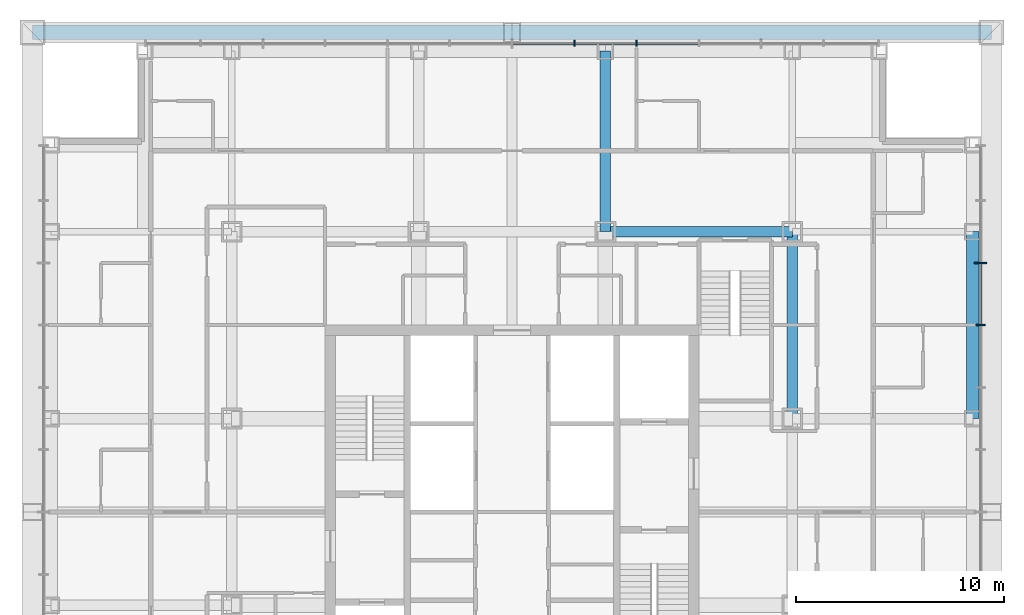
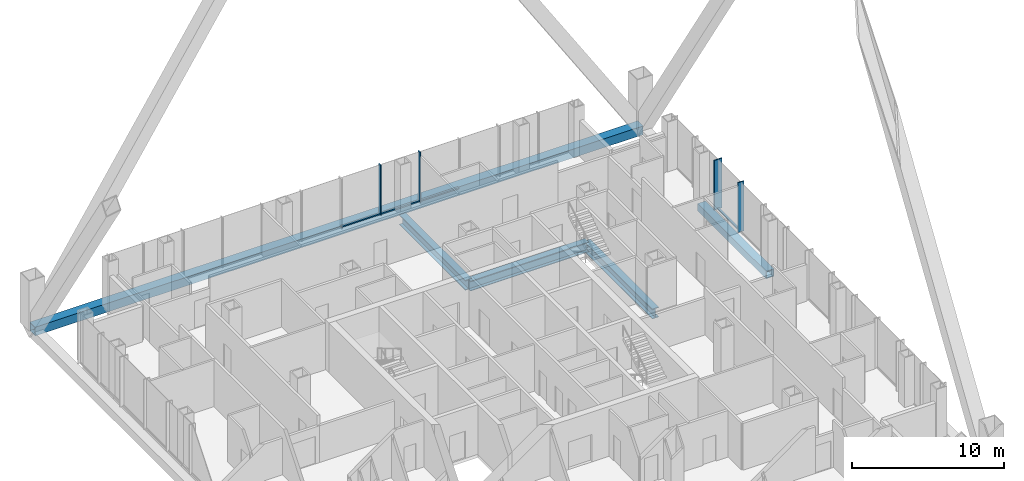
# One storey, part 8 of 16: 9 members, 4 beams, 2 elements without a shape of their own.
"""IFC4 building model written with IfcOpenShell, lengths in metres."""

import ifcopenshell
import ifcopenshell.guid

model = None  # the IFC model being written
_history = None  # IfcOwnerHistory: only IFC2X3 demands one
_inside = {}  # id of a spatial element -> (the spatial element, [elements in it])
_under = {}  # id of a project, library or spatial element -> (it, [spatial elements below it])
_declared = {}  # id of a project -> (the project, [libraries it declares])
_typed = {}  # id of a type object -> (the type object, [elements of that type])
_made_of = {}  # id of a material, layer set ... -> (it, [elements and type objects made of it])


def new_model(schema):
    """Start an empty IFC model of exactly this schema.

    Asked for "IFC4X3", IfcOpenShell would pick the latest addendum, in which some entities
    have other attributes; the version numbers below select the first issue.
    IFC2X3 requires an IfcOwnerHistory on every rooted entity: one is made here for all.
    """
    global model, _history
    if schema == "IFC4X3":
        model = ifcopenshell.file(schema_version=(4, 3, 0, 0))
    else:
        model = ifcopenshell.file(schema=schema)
    _inside.clear()
    _under.clear()
    _declared.clear()
    _typed.clear()
    _made_of.clear()
    _history = None
    if model.schema == "IFC2X3":
        org = make("IfcOrganization", Name="unknown")
        user = make(
            "IfcPersonAndOrganization",
            ThePerson=make("IfcPerson", FamilyName="unknown"),
            TheOrganization=org,
        )
        app = make(
            "IfcApplication",
            ApplicationDeveloper=org,
            Version="unknown",
            ApplicationFullName="unknown",
            ApplicationIdentifier="unknown",
        )
        _history = make(
            "IfcOwnerHistory",
            OwningUser=user,
            OwningApplication=app,
            ChangeAction="ADDED",
            CreationDate=0,
        )
    return model


def make(cls, **values):
    """One entity of the class cls with the attributes given. An attribute that is None is left unset."""
    return model.create_entity(
        cls, **{name: value for name, value in values.items() if value is not None}
    )


def rooted(cls, **values):
    """An entity with a GlobalId (a new one), such as an element, a storey or a relation."""
    return make(cls, GlobalId=ifcopenshell.guid.new(), OwnerHistory=_history, **values)


def si_unit(unit_type, name, prefix=None):
    """IfcSIUnit, for example si_unit("LENGTHUNIT", "METRE", prefix="MILLI")."""
    return make("IfcSIUnit", UnitType=unit_type, Prefix=prefix, Name=name)


def assignment(units):
    """IfcUnitAssignment: the units of a project."""
    return None if units is None else make("IfcUnitAssignment", Units=units)


def point(xyz):
    """IfcCartesianPoint."""
    return None if xyz is None else make("IfcCartesianPoint", Coordinates=xyz)


def direction(xyz):
    """IfcDirection."""
    return None if xyz is None else make("IfcDirection", DirectionRatios=xyz)


def frame(location, z_axis=None, x_axis=None):
    """IfcAxis2Placement3D, a coordinate frame: its origin and axes. An axis left out is left unset."""
    return make(
        "IfcAxis2Placement3D",
        Location=point(location),
        Axis=direction(z_axis),
        RefDirection=direction(x_axis),
    )


def frame_2d(location, x_axis=None):
    """IfcAxis2Placement2D, a coordinate frame in the plane: its origin and x axis."""
    return make(
        "IfcAxis2Placement2D", Location=point(location), RefDirection=direction(x_axis)
    )


def origin():
    """The frame at (0, 0, 0) with its axes left unset."""
    return frame((0.0, 0.0, 0.0))


def origin_2d():
    """The frame at (0, 0) in the plane with its x axis left unset."""
    return frame_2d((0.0, 0.0))


def place(relative_to, where):
    """IfcLocalPlacement: puts the frame where relative to a parent placement (None: the world)."""
    return make(
        "IfcLocalPlacement", PlacementRelTo=relative_to, RelativePlacement=where
    )


def context(
    kind, dimensions, precision=None, world=None, true_north=None, identifier=None
):
    """IfcGeometricRepresentationContext, for example the 3D "Model" context."""
    return make(
        "IfcGeometricRepresentationContext",
        ContextIdentifier=identifier,
        ContextType=kind,
        CoordinateSpaceDimension=dimensions,
        Precision=precision,
        WorldCoordinateSystem=world,
        TrueNorth=true_north,
    )


def subcontext(parent, identifier, kind, view, scale=None):
    """IfcGeometricRepresentationSubContext, for example "Body" below "Model"."""
    return make(
        "IfcGeometricRepresentationSubContext",
        ContextIdentifier=identifier,
        ContextType=kind,
        ParentContext=parent,
        TargetScale=scale,
        TargetView=view,
    )


def project(units=None, contexts=None):
    """IfcProject with its units and contexts."""
    return rooted(
        "IfcProject",
        Name="project",
        RepresentationContexts=contexts,
        UnitsInContext=assignment(units),
    )


def spatial(cls, under=None, at=None, **own):
    """A site, building, storey or space (cls), placed at a placement, below another one or the project."""
    s = rooted(cls, ObjectPlacement=at, **own)
    if under is not None:
        _under.setdefault(under.id(), (under, []))[1].append(s)
    return s


def profile(cls, at=None, kind="AREA", **sizes):
    """A parametric profile (cls). Its sizes go by their IFC names, for example OverallWidth=200.0."""
    return make(cls, ProfileType=kind, Position=at, **sizes)


def rectangle(**sizes):
    """IfcRectangleProfileDef."""
    return profile("IfcRectangleProfileDef", **sizes)


def hollow_rectangle(**sizes):
    """IfcRectangleHollowProfileDef."""
    return profile("IfcRectangleHollowProfileDef", **sizes)


def i_section(**sizes):
    """IfcIShapeProfileDef."""
    return profile("IfcIShapeProfileDef", **sizes)


def extrude(swept, where, along, depth):
    """IfcExtrudedAreaSolid: the profile swept, set in the frame where, extruded along a direction by depth."""
    return make(
        "IfcExtrudedAreaSolid",
        SweptArea=swept,
        Position=where,
        ExtrudedDirection=direction(along),
        Depth=depth,
    )


def shape(context_of_items, identifier, shape_type, items):
    """IfcShapeRepresentation: the items that make up one representation, for example the "Body"."""
    return make(
        "IfcShapeRepresentation",
        ContextOfItems=context_of_items,
        RepresentationIdentifier=identifier,
        RepresentationType=shape_type,
        Items=items,
    )


def material(Name=None, Category=None):
    """IfcMaterial."""
    return make("IfcMaterial", Name=Name, Category=Category)


def layer(
    of_material, thickness, ventilated=None, Name=None, Category=None, Priority=None
):
    """IfcMaterialLayer: one layer of a wall or slab, of a material (None: an air gap)."""
    return make(
        "IfcMaterialLayer",
        Material=of_material,
        LayerThickness=thickness,
        IsVentilated=ventilated,
        Name=Name,
        Category=Category,
        Priority=Priority,
    )


def layer_set(layers, Name=None):
    """IfcMaterialLayerSet."""
    return make("IfcMaterialLayerSet", MaterialLayers=layers, LayerSetName=Name)


def material_profile(
    of_material, cross_section, Name=None, Category=None, Priority=None
):
    """IfcMaterialProfile: a cross section and its material."""
    return make(
        "IfcMaterialProfile",
        Name=Name,
        Material=of_material,
        Profile=cross_section,
        Priority=Priority,
        Category=Category,
    )


def profile_set(profiles, Name=None, composite=None):
    """IfcMaterialProfileSet."""
    return make(
        "IfcMaterialProfileSet",
        Name=Name,
        MaterialProfiles=profiles,
        CompositeProfile=composite,
    )


def made_of(thing, what):
    """Note that an element or type object is made of a material, layer set ...; save() writes the relation."""
    if what is not None:
        _made_of.setdefault(what.id(), (what, []))[1].append(thing)
    return thing


def type_object(cls, material=None, **own):
    """A type object (cls), such as IfcWallType, which elements share."""
    return made_of(rooted(cls, **own), material)


def element(
    cls,
    number,
    at=None,
    inside=None,
    cuts=None,
    type_object=None,
    material=None,
    context=None,
    identifier="Body",
    shape_type=None,
    held_by="IfcProductDefinitionShape",
    body=None,
    shapes=None,
    **own,
):
    """One element of the class cls, such as IfcWall. Its Tag is "e" and its number.

    at: its placement. inside: the storey or other place that contains it. cuts: it is an
    opening in that element (IfcRelVoidsElement). A single representation is given by context,
    identifier, shape_type and body (its items); several are given by shapes. held_by: the class
    of the entity that holds the representations. save() writes the other relations.
    """
    e = rooted(cls, Tag="e%d" % number, ObjectPlacement=at, **own)
    if body is not None:
        shapes = [shape(context, identifier, shape_type, body)]
    if shapes is not None:
        e.Representation = make(held_by, Representations=shapes)
    if inside is not None:
        _inside.setdefault(inside.id(), (inside, []))[1].append(e)
    if cuts is not None:
        rooted(
            "IfcRelVoidsElement", RelatingBuildingElement=cuts, RelatedOpeningElement=e
        )
    if type_object is not None:
        _typed.setdefault(type_object.id(), (type_object, []))[1].append(e)
    return made_of(e, material)


def aggregate(whole, parts):
    """IfcRelAggregates: a whole, such as a stair, and the parts it consists of."""
    return rooted("IfcRelAggregates", RelatingObject=whole, RelatedObjects=parts)


def save(model, path):
    """Write the relations noted so far, then the file.

    IfcRelAggregates (storeys below a building ...), IfcRelContainedInSpatialStructure (elements
    in a storey), IfcRelDefinesByType, IfcRelAssociatesMaterial and IfcRelDeclares: one each for
    every whole, place, type object, material and project.
    """
    for whole, parts in _under.values():
        aggregate(whole, parts)
    for where, things in _inside.values():
        rooted(
            "IfcRelContainedInSpatialStructure",
            RelatedElements=things,
            RelatingStructure=where,
        )
    for kind, things in _typed.values():
        rooted("IfcRelDefinesByType", RelatedObjects=things, RelatingType=kind)
    for what, things in _made_of.values():
        rooted("IfcRelAssociatesMaterial", RelatedObjects=things, RelatingMaterial=what)
    for by, libraries in _declared.values():
        rooted("IfcRelDeclares", RelatingContext=by, RelatedDefinitions=libraries)
    model.write(path)


model = new_model("IFC4")

# Units and contexts
model_context = context("Model", 3, precision=1e-05, world=origin(), true_north=direction((0.0, 1.0)))
body_context = subcontext(model_context, "Body", "Model", "MODEL_VIEW")
ifc_project = project(units=[si_unit("LENGTHUNIT", "METRE"), si_unit("AREAUNIT", "SQUARE_METRE"), si_unit("VOLUMEUNIT", "CUBIC_METRE"), si_unit("PLANEANGLEUNIT", "RADIAN"), si_unit("MASSUNIT", "GRAM", prefix="KILO")], contexts=[model_context])

# Site, building, storey
site_placement = place(None, origin())
site = spatial("IfcSite", under=ifc_project, at=site_placement, CompositionType="ELEMENT")
building_placement = place(site_placement, origin())
building = spatial("IfcBuilding", under=site, at=building_placement, Name="Malebo Sky Hospital", CompositionType="ELEMENT")
storey_placement = place(building_placement, frame((0.0, 0.0, 209.0)))
storey = spatial("IfcBuildingStorey", under=building, at=storey_placement, Name="L50", CompositionType="ELEMENT", Elevation=209.0)

# Curtain wall, members
ifc_material_1 = material(Name="Anodised aluminium, natural silver", Category="aluminium")
ifc_layer_1 = layer(ifc_material_1, 0.25)
ifc_layer_set_1 = layer_set([ifc_layer_1], Name="WARD CURTAIN WALL NORTH AND SOUTH")
curtain_wall_type_1 = type_object("IfcCurtainWallType", Name="WARD CURTAIN WALL NORTH AND SOUTH", PredefinedType="NOTDEFINED", material=ifc_layer_set_1)
curtain_wall_1_placement = place(storey_placement, origin())
curtain_wall_1 = element("IfcCurtainWall", 1, at=curtain_wall_1_placement, inside=storey, type_object=curtain_wall_type_1, Name="NS curtain wall N", PredefinedType="NOTDEFINED")
ifc_material_profile_1 = material_profile(ifc_material_1, rectangle(XDim=0.14990234375, YDim=0.10009765625, at=origin_2d()), Name="ALUMINIUM TRANSOM 150x100")
ifc_profile_set_1 = profile_set([ifc_material_profile_1], Name="Anodised aluminium, natural silver")
member_type_1 = type_object("IfcMemberType", Name="ALUMINIUM TRANSOM 150x100", PredefinedType="USERDEFINED", material=ifc_profile_set_1)
member_1_placement = place(storey_placement, frame((60.03759765625, 84.574951171875, 0.050048828125), z_axis=(1.0, 0.0, 0.0), x_axis=(0.0, 1.0, 0.0)))
member_1 = element("IfcMember", 2, at=member_1_placement, type_object=member_type_1, Name="Transom 7", ObjectType="TRANSOM", PredefinedType="USERDEFINED", context=body_context, shape_type="SweptSolid", body=[
    extrude(rectangle(XDim=0.14990234375, YDim=0.10009765625, at=origin_2d()), origin(), (0.0, 0.0, 1.0), 2.9248046875),
])
member_2_placement = place(storey_placement, frame((63.03759765625, 84.574951171875, 0.050048828125), z_axis=(1.0, 0.0, 0.0), x_axis=(0.0, 1.0, 0.0)))
member_2 = element("IfcMember", 3, at=member_2_placement, type_object=member_type_1, Name="Transom 8", ObjectType="TRANSOM", PredefinedType="USERDEFINED", context=body_context, shape_type="SweptSolid", body=[
    extrude(rectangle(XDim=0.14990234375, YDim=0.10009765625, at=origin_2d()), origin(), (0.0, 0.0, 1.0), 2.9248046875),
])
member_3_placement = place(storey_placement, frame((66.03759765625, 84.574951171875, 0.050048828125), z_axis=(1.0, 0.0, 0.0), x_axis=(0.0, 1.0, 0.0)))
member_3 = element("IfcMember", 4, at=member_3_placement, type_object=member_type_1, Name="Transom 9", ObjectType="TRANSOM", PredefinedType="USERDEFINED", context=body_context, shape_type="SweptSolid", body=[
    extrude(rectangle(XDim=0.14990234375, YDim=0.10009765625, at=origin_2d()), origin(), (0.0, 0.0, 1.0), 2.9248046875),
])

# Curtain wall, member
ifc_layer_2 = layer(ifc_material_1, 0.25)
ifc_layer_set_2 = layer_set([ifc_layer_2], Name="WARD CURTAIN WALL EAST AND WEST")
curtain_wall_type_2 = type_object("IfcCurtainWallType", Name="WARD CURTAIN WALL EAST AND WEST", PredefinedType="NOTDEFINED", material=ifc_layer_set_2)
curtain_wall_2_placement = place(storey_placement, origin())
curtain_wall_2 = element("IfcCurtainWall", 5, at=curtain_wall_2_placement, inside=storey, type_object=curtain_wall_type_2, Name="EW curtain wall E", PredefinedType="NOTDEFINED")
member_4_placement = place(storey_placement, frame((82.574951171875, 73.96240234375, 0.050048828125), z_axis=(0.0, -1.0, 0.0), x_axis=(1.0, 0.0, 0.0)))
member_4 = element("IfcMember", 6, at=member_4_placement, type_object=member_type_1, Name="Transom 3", ObjectType="TRANSOM", PredefinedType="USERDEFINED", context=body_context, shape_type="SweptSolid", body=[
    extrude(rectangle(XDim=0.14990234375, YDim=0.10009765625, at=origin_2d()), origin(), (0.0, 0.0, 1.0), 2.9248046875),
])

# Member
ifc_material_profile_2 = material_profile(ifc_material_1, rectangle(XDim=0.074951171875, YDim=0.300048828125, at=origin_2d()), Name="CW1 ALUMINIUM FIN MULLION 75x300")
ifc_profile_set_2 = profile_set([ifc_material_profile_2], Name="Anodised aluminium, natural silver")
member_type_2 = type_object("IfcMemberType", Name="CW1 ALUMINIUM FIN MULLION 75x300", PredefinedType="MULLION", material=ifc_profile_set_2)
member_5_placement = place(storey_placement, frame((63.0, 84.574951171875, 0.0), z_axis=(0.0, 0.0, 1.0), x_axis=(1.0, 0.0, 0.0)))
member_5 = element("IfcMember", 7, at=member_5_placement, type_object=member_type_2, Name="Fin mullion 8", PredefinedType="MULLION", context=body_context, shape_type="SweptSolid", body=[
    extrude(rectangle(XDim=0.074951171875, YDim=0.300048828125, at=origin_2d()), origin(), (0.0, 0.0, 1.0), 4.0),
])

member_6_placement = place(storey_placement, frame((66.0, 84.574951171875, 0.0), z_axis=(0.0, 0.0, 1.0), x_axis=(1.0, 0.0, 0.0)))
member_6 = element("IfcMember", 8, at=member_6_placement, type_object=member_type_2, Name="Fin mullion 9", PredefinedType="MULLION", context=body_context, shape_type="SweptSolid", body=[
    extrude(rectangle(XDim=0.074951171875, YDim=0.300048828125, at=origin_2d()), origin(), (0.0, 0.0, 1.0), 4.0),
])

aggregate(curtain_wall_1, [member_5, member_6, member_1, member_2, member_3])

ifc_material_profile_3 = material_profile(ifc_material_1, rectangle(XDim=0.074951171875, YDim=0.449951171875, at=origin_2d()), Name="CW2 ALUMINIUM FIN MULLION 75x450")
ifc_profile_set_3 = profile_set([ifc_material_profile_3], Name="Anodised aluminium, natural silver")
member_type_3 = type_object("IfcMemberType", Name="CW2 ALUMINIUM FIN MULLION 75x450", PredefinedType="MULLION", material=ifc_profile_set_3)
member_7_placement = place(storey_placement, frame((82.574951171875, 71.0, 0.0), z_axis=(0.0, 0.0, 1.0), x_axis=(0.0, -1.0, 0.0)))
member_7 = element("IfcMember", 9, at=member_7_placement, type_object=member_type_3, Name="Fin mullion 4", PredefinedType="MULLION", context=body_context, shape_type="SweptSolid", body=[
    extrude(rectangle(XDim=0.074951171875, YDim=0.449951171875, at=origin_2d()), origin(), (0.0, 0.0, 1.0), 4.0),
])

ifc_material_profile_4 = material_profile(ifc_material_1, rectangle(XDim=0.074951171875, YDim=0.60009765625, at=origin_2d()), Name="CW2 ALUMINIUM FIN MULLION 75x600")
ifc_profile_set_4 = profile_set([ifc_material_profile_4], Name="Anodised aluminium, natural silver")
member_type_4 = type_object("IfcMemberType", Name="CW2 ALUMINIUM FIN MULLION 75x600", PredefinedType="MULLION", material=ifc_profile_set_4)
member_8_placement = place(storey_placement, frame((82.574951171875, 74.0, 0.0), z_axis=(0.0, 0.0, 1.0), x_axis=(0.0, -1.0, 0.0)))
member_8 = element("IfcMember", 10, at=member_8_placement, type_object=member_type_4, Name="Fin mullion 3", PredefinedType="MULLION", context=body_context, shape_type="SweptSolid", body=[
    extrude(rectangle(XDim=0.074951171875, YDim=0.60009765625, at=origin_2d()), origin(), (0.0, 0.0, 1.0), 4.0),
])

aggregate(curtain_wall_2, [member_8, member_7, member_4])

# Beams
ifc_material_2 = material(Name="Steel S460", Category="steel")
ifc_material_profile_5 = material_profile(ifc_material_2, hollow_rectangle(XDim=0.60009765625, YDim=0.60009765625, WallThickness=0.0400390625, at=origin_2d()), Name="BOX 600x600x40")
ifc_profile_set_5 = profile_set([ifc_material_profile_5], Name="Steel S460")
beam_type_1 = type_object("IfcBeamType", Name="EDGE BEAM BOX 600x600x40", PredefinedType="BEAM", material=ifc_profile_set_5)
beam_1_placement = place(storey_placement, frame((82.199951171875, 66.5, -0.550048828125), z_axis=(0.0, 1.0, 0.0), x_axis=(-1.0, 0.0, 0.0)))
element("IfcBeam", 11, at=beam_1_placement, inside=storey, type_object=beam_type_1, Name="Beam 032 L50", PredefinedType="BEAM", context=body_context, shape_type="SweptSolid", body=[
    extrude(hollow_rectangle(XDim=0.60009765625, YDim=0.60009765625, WallThickness=0.0400390625, at=origin_2d()), origin(), (0.0, 0.0, 1.0), 9.0),
])
ifc_material_3 = material(Name="Steel S355", Category="steel")
ifc_material_profile_6 = material_profile(ifc_material_3, i_section(OverallWidth=0.5, OverallDepth=0.800048828125, WebThickness=0.030029296875, FlangeThickness=0.050048828125, at=origin_2d()), Name="PG 800x500x30x50")
ifc_profile_set_6 = profile_set([ifc_material_profile_6], Name="Steel S355")
beam_type_2 = type_object("IfcBeamType", Name="FLOOR BEAM PG 800x500x30x50", PredefinedType="BEAM", material=ifc_profile_set_6)
beam_2_placement = place(storey_placement, frame((64.5, 75.5, -0.64990234375), z_axis=(0.0, 1.0, 0.0), x_axis=(-1.0, 0.0, 0.0)))
element("IfcBeam", 12, at=beam_2_placement, inside=storey, type_object=beam_type_2, Name="Beam 021 L50", PredefinedType="BEAM", context=body_context, shape_type="SweptSolid", body=[
    extrude(i_section(OverallWidth=0.5, OverallDepth=0.800048828125, WebThickness=0.030029296875, FlangeThickness=0.050048828125, at=origin_2d()), origin(), (0.0, 0.0, 1.0), 8.699951171875),
])
for number, where, z_axis, x_axis, name in (
    (13, (73.5, 66.5, -0.64990234375), (0.0, 1.0, 0.0), (-1.0, 0.0, 0.0), "Beam 025 L50"),
    (14, (64.5, 75.5, -0.64990234375), (1.0, 0.0, 0.0), (0.0, 1.0, 0.0), "Beam 059 L50"),
):
    element("IfcBeam", number, at=place(storey_placement, frame(where, z_axis=z_axis, x_axis=x_axis)), inside=storey, type_object=beam_type_2, Name=name, PredefinedType="BEAM", context=body_context, shape_type="SweptSolid", body=[
        extrude(i_section(OverallWidth=0.5, OverallDepth=0.800048828125, WebThickness=0.030029296875, FlangeThickness=0.050048828125, at=origin_2d()), origin(), (0.0, 0.0, 1.0), 9.0),
    ])

# Member
ifc_material_profile_7 = material_profile(ifc_material_2, hollow_rectangle(XDim=0.699951171875, YDim=0.699951171875, WallThickness=0.034912109375, at=origin_2d()), Name="BOX 700x700x35")
ifc_profile_set_7 = profile_set([ifc_material_profile_7], Name="Steel S460")
member_type_5 = type_object("IfcMemberType", Name="MEGA TIE BOX 700x700x35", PredefinedType="CHORD", material=ifc_profile_set_7)
member_9_placement = place(storey_placement, frame((83.10009765625, 85.10009765625, -0.39990234375), z_axis=(-1.0, 0.0, 0.0), x_axis=(0.0, -1.0, 0.0)))
element("IfcMember", 15, at=member_9_placement, inside=storey, type_object=member_type_5, Name="Mega tie CN L50", PredefinedType="CHORD", context=body_context, shape_type="SweptSolid", body=[
    extrude(hollow_rectangle(XDim=0.699951171875, YDim=0.699951171875, WallThickness=0.034912109375, at=origin_2d()), origin(), (0.0, 0.0, 1.0), 46.2001953125),
])

save(model, "model.ifc")
